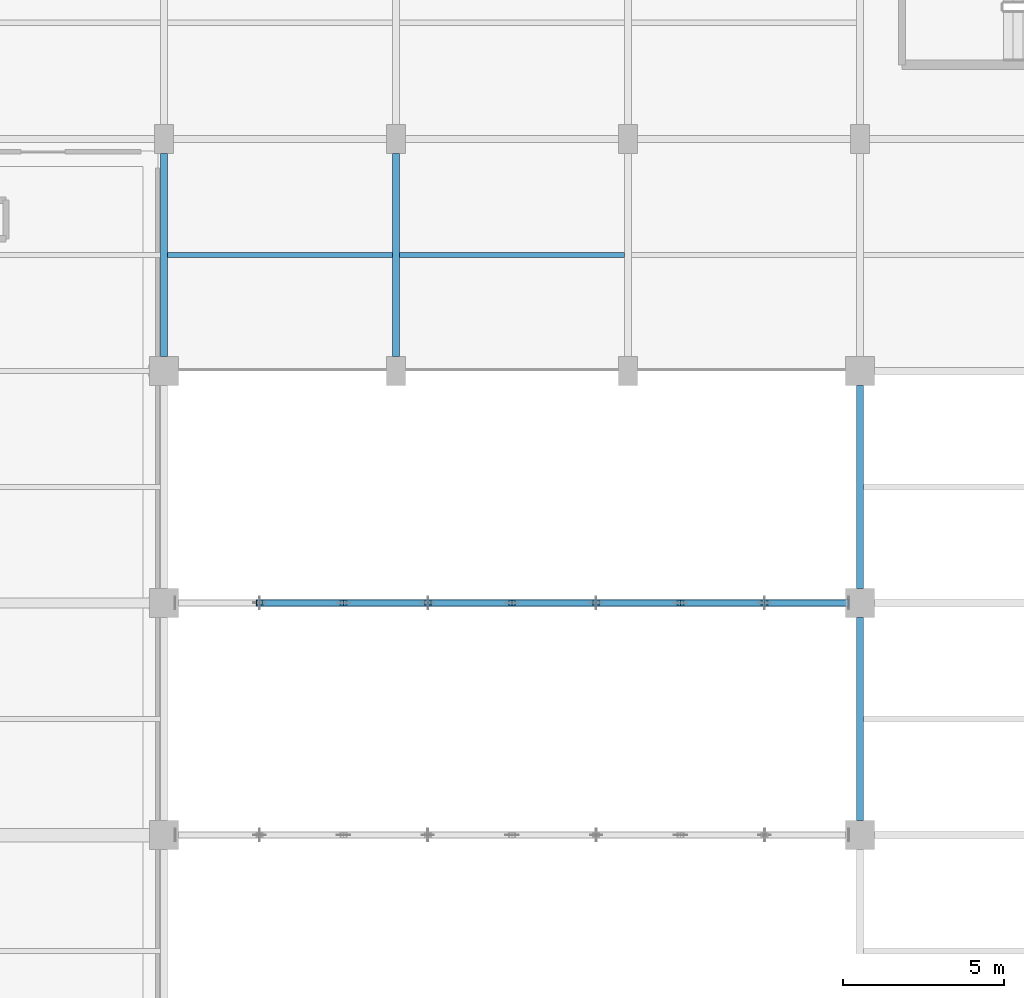
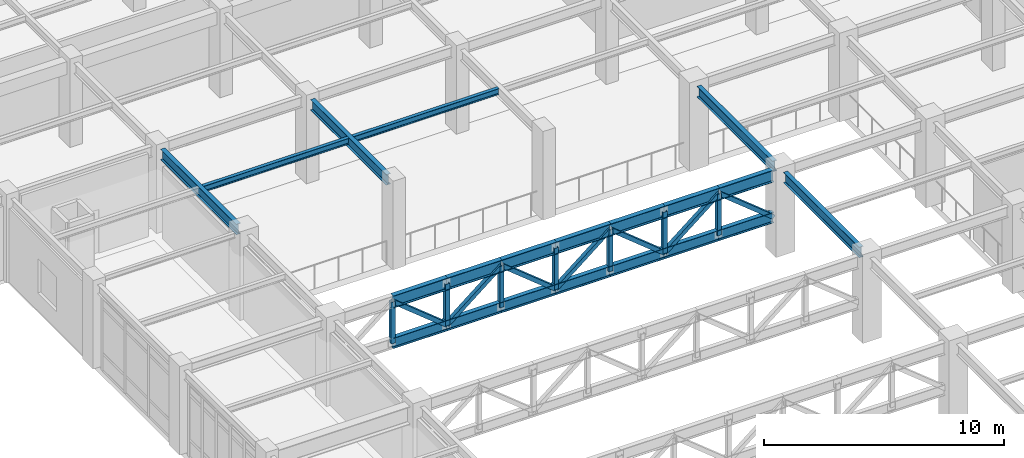
# One storey, part 50 of 106: 28 members, 6 beams.
"""IFC4 building model written with IfcOpenShell, lengths in metres."""

from ifc_helpers import new_model, si_unit, direction, frame, origin, origin_2d, place, context, subcontext, project, spatial, hollow_rectangle, i_section, extrude, material, material_profile, profile_set, type_object, element, save


model = new_model("IFC4")

# Units and contexts
model_context = context("Model", 3, precision=1e-05, world=origin(), true_north=direction((0.0, 1.0)))
body_context = subcontext(model_context, "Body", "Model", "MODEL_VIEW")
ifc_project = project(units=[si_unit("LENGTHUNIT", "METRE"), si_unit("AREAUNIT", "SQUARE_METRE"), si_unit("VOLUMEUNIT", "CUBIC_METRE"), si_unit("PLANEANGLEUNIT", "RADIAN"), si_unit("MASSUNIT", "GRAM", prefix="KILO")], contexts=[model_context])

# Site, building, storey
site_placement = place(None, origin())
site = spatial("IfcSite", under=ifc_project, at=site_placement, CompositionType="ELEMENT")
building_placement = place(site_placement, origin())
building = spatial("IfcBuilding", under=site, at=building_placement, Name="Carrowvane Square Congress Hotel", CompositionType="ELEMENT")
storey_placement = place(building_placement, frame((0.0, 0.0, 10.5)))
storey = spatial("IfcBuildingStorey", under=building, at=storey_placement, Name="L02", CompositionType="ELEMENT", Elevation=10.5)

# Beams
ifc_material_1 = material(Name="Steel S355", Category="steel")
ifc_material_profile_1 = material_profile(ifc_material_1, i_section(OverallWidth=0.165771484375, OverallDepth=0.306640625, WebThickness=0.006591796875, FlangeThickness=0.01171875, FilletRadius=0.0087890625, at=origin_2d()), Name="UKB 305x165x46")
ifc_profile_set_1 = profile_set([ifc_material_profile_1], Name="Steel S355")
beam_type_1 = type_object("IfcBeamType", Name="BM-ST-UKB305", PredefinedType="JOIST", material=ifc_profile_set_1)
beam_1_placement = place(storey_placement, frame((141.304931640625, 52.199951171875, 4.066650390625), z_axis=(1.0, 0.0, 0.0), x_axis=(0.0, 1.0, 0.0)))
element("IfcBeam", 1, at=beam_1_placement, inside=storey, type_object=beam_type_1, Name="L03 secondary joist 19-20", PredefinedType="JOIST", context=body_context, shape_type="SweptSolid", body=[
    extrude(i_section(OverallWidth=0.165771484375, OverallDepth=0.306640625, WebThickness=0.006591796875, FlangeThickness=0.01171875, FilletRadius=0.0087890625, at=origin_2d()), origin(), (0.0, 0.0, 1.0), 6.989990234375),
])
beam_2_placement = place(storey_placement, frame((148.5048828125, 52.199951171875, 4.066650390625), z_axis=(1.0, 0.0, 0.0), x_axis=(0.0, 1.0, 0.0)))
element("IfcBeam", 2, at=beam_2_placement, inside=storey, type_object=beam_type_1, Name="L03 secondary joist 20-21", PredefinedType="JOIST", context=body_context, shape_type="SweptSolid", body=[
    extrude(i_section(OverallWidth=0.165771484375, OverallDepth=0.306640625, WebThickness=0.006591796875, FlangeThickness=0.01171875, FilletRadius=0.0087890625, at=origin_2d()), origin(), (0.0, 0.0, 1.0), 6.990234375),
])
ifc_material_2 = material(Name="Steel S355", Category="steel")
ifc_material_profile_2 = material_profile(ifc_material_2, i_section(OverallWidth=0.2099609375, OverallDepth=0.53662109375, WebThickness=0.0107421875, FlangeThickness=0.017333984375, FilletRadius=0.0126953125, at=origin_2d()), Name="UKB 533x210x101")
ifc_profile_set_2 = profile_set([ifc_material_profile_2], Name="Steel S355")
beam_type_2 = type_object("IfcBeamType", Name="BM-ST-UKB533", PredefinedType="USERDEFINED", material=ifc_profile_set_2)
for number, where, z_axis, x_axis, name in (
    (3, (141.199951171875, 49.050048828125, 3.95166015625), (0.0, 1.0, 0.0), (-1.0, 0.0, 0.0), "L03 girder 19/G-H"),
    (4, (148.39990234375, 49.050048828125, 3.95166015625), (0.0, 1.0, 0.0), (-1.0, 0.0, 0.0), "L03 girder 20/G-H"),
    (5, (162.800048828125, 34.64990234375, 3.95166015625), (0.0, 1.0, 0.0), (-1.0, 0.0, 0.0), "L03 girder 22/E-F"),
):
    element("IfcBeam", number, at=place(storey_placement, frame(where, z_axis=z_axis, x_axis=x_axis)), inside=storey, type_object=beam_type_2, Name=name, ObjectType="GIRDER", PredefinedType="USERDEFINED", context=body_context, shape_type="SweptSolid", body=[
        extrude(i_section(OverallWidth=0.2099609375, OverallDepth=0.53662109375, WebThickness=0.0107421875, FlangeThickness=0.017333984375, FilletRadius=0.0126953125, at=origin_2d()), origin(), (0.0, 0.0, 1.0), 6.300048828125),
    ])
beam_3_placement = place(storey_placement, frame((162.800048828125, 41.85009765625, 3.95166015625), z_axis=(0.0, 1.0, 0.0), x_axis=(-1.0, 0.0, 0.0)))
element("IfcBeam", 6, at=beam_3_placement, inside=storey, type_object=beam_type_2, Name="L03 girder 22/F-G", ObjectType="GIRDER", PredefinedType="USERDEFINED", context=body_context, shape_type="SweptSolid", body=[
    extrude(i_section(OverallWidth=0.2099609375, OverallDepth=0.53662109375, WebThickness=0.0107421875, FlangeThickness=0.017333984375, FilletRadius=0.0126953125, at=origin_2d()), origin(), (0.0, 0.0, 1.0), 6.2998046875),
])

# Members
ifc_material_3 = material(Name="Steel S355", Category="steel")
ifc_material_profile_3 = material_profile(ifc_material_3, hollow_rectangle(XDim=0.199951171875, YDim=0.199951171875, WallThickness=0.012451171875, at=origin_2d()), Name="SHS 200x200x12.5")
ifc_profile_set_3 = profile_set([ifc_material_profile_3], Name="Steel S355")
member_type_1 = type_object("IfcMemberType", Name="MEM-BR-SHS200", PredefinedType="BRACE", material=ifc_profile_set_3)
member_1_placement = place(storey_placement, frame((144.16259765625, 41.39990234375, 3.909912109375), z_axis=(0.777952115247, 0.0, -0.628323568221), x_axis=(0.0, 1.0, 0.0)))
element("IfcMember", 7, at=member_1_placement, inside=storey, type_object=member_type_1, Name="Ballroom truss diagonal 99", PredefinedType="BRACE", context=body_context, shape_type="SweptSolid", body=[
    extrude(hollow_rectangle(XDim=0.199951171875, YDim=0.199951171875, WallThickness=0.012451171875, at=origin_2d()), origin(), (0.0, 0.0, 1.0), 3.35791015625),
])
for number, where, z_axis, x_axis, name in (
    (8, (146.77490234375, 41.39990234375, 1.800048828125), (0.777980816374, 0.0, 0.628288030567), (0.0, 1.0, 0.0), "Ballroom truss diagonal 103"),
    (9, (149.387451171875, 41.39990234375, 3.909912109375), (0.777980816374, 0.0, -0.628288030567), (0.0, 1.0, 0.0), "Ballroom truss diagonal 107"),
    (10, (152.0, 41.39990234375, 1.800048828125), (0.777980816374, 0.0, 0.628288030567), (0.0, 1.0, 0.0), "Ballroom truss diagonal 111"),
    (11, (154.612548828125, 41.39990234375, 3.909912109375), (0.777980816374, 0.0, -0.628288030567), (0.0, 1.0, 0.0), "Ballroom truss diagonal 115"),
):
    element("IfcMember", number, at=place(storey_placement, frame(where, z_axis=z_axis, x_axis=x_axis)), inside=storey, type_object=member_type_1, Name=name, PredefinedType="BRACE", context=body_context, shape_type="SweptSolid", body=[
        extrude(hollow_rectangle(XDim=0.199951171875, YDim=0.199951171875, WallThickness=0.012451171875, at=origin_2d()), origin(), (0.0, 0.0, 1.0), 3.358154296875),
    ])
member_2_placement = place(storey_placement, frame((157.22509765625, 41.39990234375, 1.800048828125), z_axis=(0.777952115247, 0.0, 0.628323568221), x_axis=(0.0, 1.0, 0.0)))
element("IfcMember", 12, at=member_2_placement, inside=storey, type_object=member_type_1, Name="Ballroom truss diagonal 119", PredefinedType="BRACE", context=body_context, shape_type="SweptSolid", body=[
    extrude(hollow_rectangle(XDim=0.199951171875, YDim=0.199951171875, WallThickness=0.012451171875, at=origin_2d()), origin(), (0.0, 0.0, 1.0), 3.35791015625),
])
member_3_placement = place(storey_placement, frame((159.83740234375, 41.39990234375, 3.909912109375), z_axis=(0.777980816374, 0.0, -0.628288030567), x_axis=(0.0, 1.0, 0.0)))
element("IfcMember", 13, at=member_3_placement, inside=storey, type_object=member_type_1, Name="Ballroom truss diagonal 123", PredefinedType="BRACE", context=body_context, shape_type="SweptSolid", body=[
    extrude(hollow_rectangle(XDim=0.199951171875, YDim=0.199951171875, WallThickness=0.012451171875, at=origin_2d()), origin(), (0.0, 0.0, 1.0), 3.358154296875),
])
ifc_material_4 = material(Name="Steel S355", Category="steel")
ifc_material_profile_4 = material_profile(ifc_material_4, hollow_rectangle(XDim=0.199951171875, YDim=0.199951171875, WallThickness=0.012451171875, at=origin_2d()), Name="SHS 200x200x12.5")
ifc_profile_set_4 = profile_set([ifc_material_profile_4], Name="Steel S355")
member_type_2 = type_object("IfcMemberType", Name="MEM-ST-SHS200", PredefinedType="STRUT", material=ifc_profile_set_4)
for number, where, z_axis, x_axis, name in (
    (14, (144.16259765625, 41.39990234375, 1.800048828125), (0.0, 0.0, 1.0), (1.0, 0.0, 0.0), "Ballroom truss vertical 100"),
    (15, (146.77490234375, 41.39990234375, 1.800048828125), (0.0, 0.0, 1.0), (1.0, 0.0, 0.0), "Ballroom truss vertical 104"),
    (16, (149.387451171875, 41.39990234375, 1.800048828125), (0.0, 0.0, 1.0), (1.0, 0.0, 0.0), "Ballroom truss vertical 108"),
    (17, (152.0, 41.39990234375, 1.800048828125), (0.0, 0.0, 1.0), (1.0, 0.0, 0.0), "Ballroom truss vertical 112"),
    (18, (154.612548828125, 41.39990234375, 1.800048828125), (0.0, 0.0, 1.0), (1.0, 0.0, 0.0), "Ballroom truss vertical 116"),
    (19, (157.22509765625, 41.39990234375, 1.800048828125), (0.0, 0.0, 1.0), (1.0, 0.0, 0.0), "Ballroom truss vertical 120"),
    (20, (159.83740234375, 41.39990234375, 1.800048828125), (0.0, 0.0, 1.0), (1.0, 0.0, 0.0), "Ballroom truss vertical 124"),
):
    element("IfcMember", number, at=place(storey_placement, frame(where, z_axis=z_axis, x_axis=x_axis)), inside=storey, type_object=member_type_2, Name=name, PredefinedType="STRUT", context=body_context, shape_type="SweptSolid", body=[
        extrude(hollow_rectangle(XDim=0.199951171875, YDim=0.199951171875, WallThickness=0.012451171875, at=origin_2d()), origin(), (0.0, 0.0, 1.0), 2.10986328125),
    ])
ifc_material_5 = material(Name="Steel S355", Category="steel")
ifc_material_profile_5 = material_profile(ifc_material_5, i_section(OverallWidth=0.2099609375, OverallDepth=0.53662109375, WebThickness=0.0107421875, FlangeThickness=0.017333984375, FilletRadius=0.0126953125, at=origin_2d()), Name="UKB 533x210x101")
ifc_profile_set_5 = profile_set([ifc_material_profile_5], Name="Steel S355")
member_type_3 = type_object("IfcMemberType", Name="MEM-TC-UKB533", PredefinedType="CHORD", material=ifc_profile_set_5)
member_4_placement = place(storey_placement, frame((144.16259765625, 41.39990234375, 1.800048828125), z_axis=(1.0, 0.0, 0.0), x_axis=(0.0, 1.0, 0.0)))
element("IfcMember", 21, at=member_4_placement, inside=storey, type_object=member_type_3, Name="Ballroom truss bottom chord 98", PredefinedType="CHORD", context=body_context, shape_type="SweptSolid", body=[
    extrude(i_section(OverallWidth=0.2099609375, OverallDepth=0.53662109375, WebThickness=0.0107421875, FlangeThickness=0.017333984375, FilletRadius=0.0126953125, at=origin_2d()), origin(), (0.0, 0.0, 1.0), 2.6123046875),
])
for number, where, z_axis, x_axis, name in (
    (22, (146.77490234375, 41.39990234375, 1.800048828125), (1.0, 0.0, 0.0), (0.0, 1.0, 0.0), "Ballroom truss bottom chord 102"),
    (23, (149.387451171875, 41.39990234375, 1.800048828125), (1.0, 0.0, 0.0), (0.0, 1.0, 0.0), "Ballroom truss bottom chord 106"),
    (24, (152.0, 41.39990234375, 1.800048828125), (1.0, 0.0, 0.0), (0.0, 1.0, 0.0), "Ballroom truss bottom chord 110"),
    (25, (154.612548828125, 41.39990234375, 1.800048828125), (1.0, 0.0, 0.0), (0.0, 1.0, 0.0), "Ballroom truss bottom chord 114"),
):
    element("IfcMember", number, at=place(storey_placement, frame(where, z_axis=z_axis, x_axis=x_axis)), inside=storey, type_object=member_type_3, Name=name, PredefinedType="CHORD", context=body_context, shape_type="SweptSolid", body=[
        extrude(i_section(OverallWidth=0.2099609375, OverallDepth=0.53662109375, WebThickness=0.0107421875, FlangeThickness=0.017333984375, FilletRadius=0.0126953125, at=origin_2d()), origin(), (0.0, 0.0, 1.0), 2.612548828125),
    ])
member_5_placement = place(storey_placement, frame((157.22509765625, 41.39990234375, 1.800048828125), z_axis=(1.0, 0.0, 0.0), x_axis=(0.0, 1.0, 0.0)))
element("IfcMember", 26, at=member_5_placement, inside=storey, type_object=member_type_3, Name="Ballroom truss bottom chord 118", PredefinedType="CHORD", context=body_context, shape_type="SweptSolid", body=[
    extrude(i_section(OverallWidth=0.2099609375, OverallDepth=0.53662109375, WebThickness=0.0107421875, FlangeThickness=0.017333984375, FilletRadius=0.0126953125, at=origin_2d()), origin(), (0.0, 0.0, 1.0), 2.6123046875),
])
member_6_placement = place(storey_placement, frame((159.83740234375, 41.39990234375, 1.800048828125), z_axis=(1.0, 0.0, 0.0), x_axis=(0.0, 1.0, 0.0)))
element("IfcMember", 27, at=member_6_placement, inside=storey, type_object=member_type_3, Name="Ballroom truss bottom chord 122", PredefinedType="CHORD", context=body_context, shape_type="SweptSolid", body=[
    extrude(i_section(OverallWidth=0.2099609375, OverallDepth=0.53662109375, WebThickness=0.0107421875, FlangeThickness=0.017333984375, FilletRadius=0.0126953125, at=origin_2d()), origin(), (0.0, 0.0, 1.0), 2.612548828125),
])
ifc_material_6 = material(Name="Steel S355", Category="steel")
ifc_material_profile_6 = material_profile(ifc_material_6, i_section(OverallWidth=0.230224609375, OverallDepth=0.6171875, WebThickness=0.01318359375, FlangeThickness=0.022216796875, FilletRadius=0.0126953125, at=origin_2d()), Name="UKB 610x229x140")
ifc_profile_set_6 = profile_set([ifc_material_profile_6], Name="Steel S355")
member_type_4 = type_object("IfcMemberType", Name="MEM-TC-UKB610", PredefinedType="CHORD", material=ifc_profile_set_6)
member_7_placement = place(storey_placement, frame((144.16259765625, 41.39990234375, 3.909912109375), z_axis=(1.0, 0.0, 0.0), x_axis=(0.0, 1.0, 0.0)))
element("IfcMember", 28, at=member_7_placement, inside=storey, type_object=member_type_4, Name="Ballroom truss top chord 97", PredefinedType="CHORD", context=body_context, shape_type="SweptSolid", body=[
    extrude(i_section(OverallWidth=0.230224609375, OverallDepth=0.6171875, WebThickness=0.01318359375, FlangeThickness=0.022216796875, FilletRadius=0.0126953125, at=origin_2d()), origin(), (0.0, 0.0, 1.0), 2.6123046875),
])
for number, where, z_axis, x_axis, name in (
    (29, (146.77490234375, 41.39990234375, 3.909912109375), (1.0, 0.0, 0.0), (0.0, 1.0, 0.0), "Ballroom truss top chord 101"),
    (30, (149.387451171875, 41.39990234375, 3.909912109375), (1.0, 0.0, 0.0), (0.0, 1.0, 0.0), "Ballroom truss top chord 105"),
    (31, (152.0, 41.39990234375, 3.909912109375), (1.0, 0.0, 0.0), (0.0, 1.0, 0.0), "Ballroom truss top chord 109"),
    (32, (154.612548828125, 41.39990234375, 3.909912109375), (1.0, 0.0, 0.0), (0.0, 1.0, 0.0), "Ballroom truss top chord 113"),
):
    element("IfcMember", number, at=place(storey_placement, frame(where, z_axis=z_axis, x_axis=x_axis)), inside=storey, type_object=member_type_4, Name=name, PredefinedType="CHORD", context=body_context, shape_type="SweptSolid", body=[
        extrude(i_section(OverallWidth=0.230224609375, OverallDepth=0.6171875, WebThickness=0.01318359375, FlangeThickness=0.022216796875, FilletRadius=0.0126953125, at=origin_2d()), origin(), (0.0, 0.0, 1.0), 2.612548828125),
    ])
member_8_placement = place(storey_placement, frame((157.22509765625, 41.39990234375, 3.909912109375), z_axis=(1.0, 0.0, 0.0), x_axis=(0.0, 1.0, 0.0)))
element("IfcMember", 33, at=member_8_placement, inside=storey, type_object=member_type_4, Name="Ballroom truss top chord 117", PredefinedType="CHORD", context=body_context, shape_type="SweptSolid", body=[
    extrude(i_section(OverallWidth=0.230224609375, OverallDepth=0.6171875, WebThickness=0.01318359375, FlangeThickness=0.022216796875, FilletRadius=0.0126953125, at=origin_2d()), origin(), (0.0, 0.0, 1.0), 2.6123046875),
])
member_9_placement = place(storey_placement, frame((159.83740234375, 41.39990234375, 3.909912109375), z_axis=(1.0, 0.0, 0.0), x_axis=(0.0, 1.0, 0.0)))
element("IfcMember", 34, at=member_9_placement, inside=storey, type_object=member_type_4, Name="Ballroom truss top chord 121", PredefinedType="CHORD", context=body_context, shape_type="SweptSolid", body=[
    extrude(i_section(OverallWidth=0.230224609375, OverallDepth=0.6171875, WebThickness=0.01318359375, FlangeThickness=0.022216796875, FilletRadius=0.0126953125, at=origin_2d()), origin(), (0.0, 0.0, 1.0), 2.612548828125),
])

save(model, "model.ifc")
